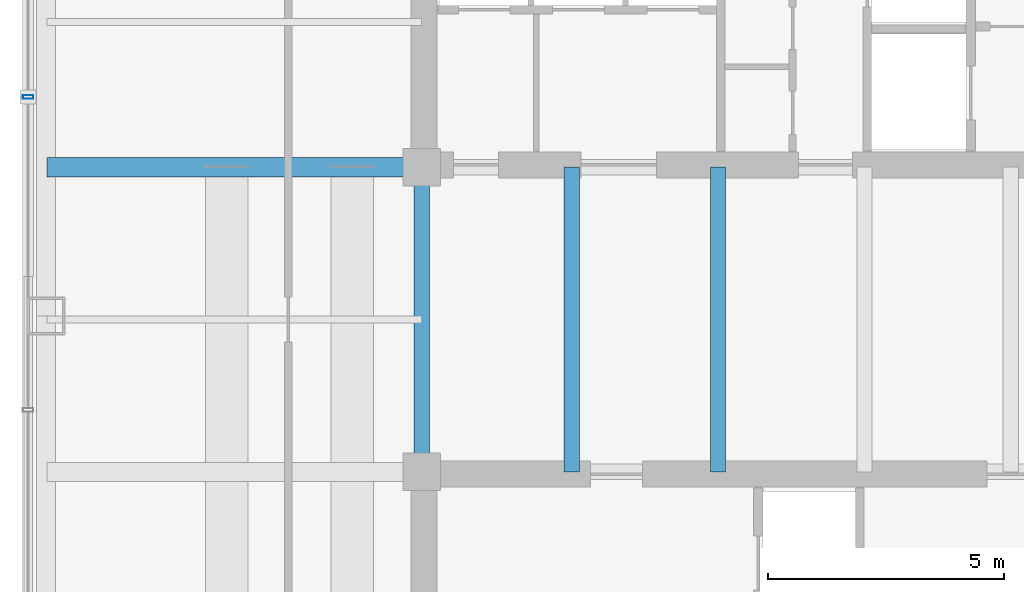
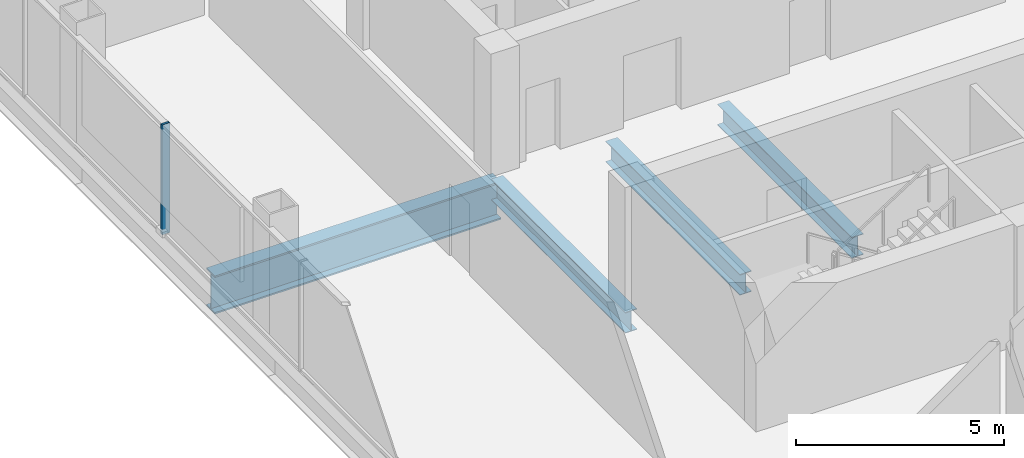
# One storey, part 4 of 20: 4 beams, 1 member, 1 element without a shape of its own.
"""IFC4 building model written with IfcOpenShell, lengths in metres."""

import ifcopenshell
import ifcopenshell.guid

model = None  # the IFC model being written
_history = None  # IfcOwnerHistory: only IFC2X3 demands one
_inside = {}  # id of a spatial element -> (the spatial element, [elements in it])
_under = {}  # id of a project, library or spatial element -> (it, [spatial elements below it])
_declared = {}  # id of a project -> (the project, [libraries it declares])
_typed = {}  # id of a type object -> (the type object, [elements of that type])
_made_of = {}  # id of a material, layer set ... -> (it, [elements and type objects made of it])


def new_model(schema):
    """Start an empty IFC model of exactly this schema.

    Asked for "IFC4X3", IfcOpenShell would pick the latest addendum, in which some entities
    have other attributes; the version numbers below select the first issue.
    IFC2X3 requires an IfcOwnerHistory on every rooted entity: one is made here for all.
    """
    global model, _history
    if schema == "IFC4X3":
        model = ifcopenshell.file(schema_version=(4, 3, 0, 0))
    else:
        model = ifcopenshell.file(schema=schema)
    _inside.clear()
    _under.clear()
    _declared.clear()
    _typed.clear()
    _made_of.clear()
    _history = None
    if model.schema == "IFC2X3":
        org = make("IfcOrganization", Name="unknown")
        user = make(
            "IfcPersonAndOrganization",
            ThePerson=make("IfcPerson", FamilyName="unknown"),
            TheOrganization=org,
        )
        app = make(
            "IfcApplication",
            ApplicationDeveloper=org,
            Version="unknown",
            ApplicationFullName="unknown",
            ApplicationIdentifier="unknown",
        )
        _history = make(
            "IfcOwnerHistory",
            OwningUser=user,
            OwningApplication=app,
            ChangeAction="ADDED",
            CreationDate=0,
        )
    return model


def make(cls, **values):
    """One entity of the class cls with the attributes given. An attribute that is None is left unset."""
    return model.create_entity(
        cls, **{name: value for name, value in values.items() if value is not None}
    )


def rooted(cls, **values):
    """An entity with a GlobalId (a new one), such as an element, a storey or a relation."""
    return make(cls, GlobalId=ifcopenshell.guid.new(), OwnerHistory=_history, **values)


def si_unit(unit_type, name, prefix=None):
    """IfcSIUnit, for example si_unit("LENGTHUNIT", "METRE", prefix="MILLI")."""
    return make("IfcSIUnit", UnitType=unit_type, Prefix=prefix, Name=name)


def assignment(units):
    """IfcUnitAssignment: the units of a project."""
    return None if units is None else make("IfcUnitAssignment", Units=units)


def point(xyz):
    """IfcCartesianPoint."""
    return None if xyz is None else make("IfcCartesianPoint", Coordinates=xyz)


def direction(xyz):
    """IfcDirection."""
    return None if xyz is None else make("IfcDirection", DirectionRatios=xyz)


def frame(location, z_axis=None, x_axis=None):
    """IfcAxis2Placement3D, a coordinate frame: its origin and axes. An axis left out is left unset."""
    return make(
        "IfcAxis2Placement3D",
        Location=point(location),
        Axis=direction(z_axis),
        RefDirection=direction(x_axis),
    )


def frame_2d(location, x_axis=None):
    """IfcAxis2Placement2D, a coordinate frame in the plane: its origin and x axis."""
    return make(
        "IfcAxis2Placement2D", Location=point(location), RefDirection=direction(x_axis)
    )


def origin():
    """The frame at (0, 0, 0) with its axes left unset."""
    return frame((0.0, 0.0, 0.0))


def origin_2d():
    """The frame at (0, 0) in the plane with its x axis left unset."""
    return frame_2d((0.0, 0.0))


def place(relative_to, where):
    """IfcLocalPlacement: puts the frame where relative to a parent placement (None: the world)."""
    return make(
        "IfcLocalPlacement", PlacementRelTo=relative_to, RelativePlacement=where
    )


def context(
    kind, dimensions, precision=None, world=None, true_north=None, identifier=None
):
    """IfcGeometricRepresentationContext, for example the 3D "Model" context."""
    return make(
        "IfcGeometricRepresentationContext",
        ContextIdentifier=identifier,
        ContextType=kind,
        CoordinateSpaceDimension=dimensions,
        Precision=precision,
        WorldCoordinateSystem=world,
        TrueNorth=true_north,
    )


def subcontext(parent, identifier, kind, view, scale=None):
    """IfcGeometricRepresentationSubContext, for example "Body" below "Model"."""
    return make(
        "IfcGeometricRepresentationSubContext",
        ContextIdentifier=identifier,
        ContextType=kind,
        ParentContext=parent,
        TargetScale=scale,
        TargetView=view,
    )


def project(units=None, contexts=None):
    """IfcProject with its units and contexts."""
    return rooted(
        "IfcProject",
        Name="project",
        RepresentationContexts=contexts,
        UnitsInContext=assignment(units),
    )


def spatial(cls, under=None, at=None, **own):
    """A site, building, storey or space (cls), placed at a placement, below another one or the project."""
    s = rooted(cls, ObjectPlacement=at, **own)
    if under is not None:
        _under.setdefault(under.id(), (under, []))[1].append(s)
    return s


def profile(cls, at=None, kind="AREA", **sizes):
    """A parametric profile (cls). Its sizes go by their IFC names, for example OverallWidth=200.0."""
    return make(cls, ProfileType=kind, Position=at, **sizes)


def hollow_rectangle(**sizes):
    """IfcRectangleHollowProfileDef."""
    return profile("IfcRectangleHollowProfileDef", **sizes)


def i_section(**sizes):
    """IfcIShapeProfileDef."""
    return profile("IfcIShapeProfileDef", **sizes)


def extrude(swept, where, along, depth):
    """IfcExtrudedAreaSolid: the profile swept, set in the frame where, extruded along a direction by depth."""
    return make(
        "IfcExtrudedAreaSolid",
        SweptArea=swept,
        Position=where,
        ExtrudedDirection=direction(along),
        Depth=depth,
    )


def shape(context_of_items, identifier, shape_type, items):
    """IfcShapeRepresentation: the items that make up one representation, for example the "Body"."""
    return make(
        "IfcShapeRepresentation",
        ContextOfItems=context_of_items,
        RepresentationIdentifier=identifier,
        RepresentationType=shape_type,
        Items=items,
    )


def material(Name=None, Category=None):
    """IfcMaterial."""
    return make("IfcMaterial", Name=Name, Category=Category)


def layer(
    of_material, thickness, ventilated=None, Name=None, Category=None, Priority=None
):
    """IfcMaterialLayer: one layer of a wall or slab, of a material (None: an air gap)."""
    return make(
        "IfcMaterialLayer",
        Material=of_material,
        LayerThickness=thickness,
        IsVentilated=ventilated,
        Name=Name,
        Category=Category,
        Priority=Priority,
    )


def layer_set(layers, Name=None):
    """IfcMaterialLayerSet."""
    return make("IfcMaterialLayerSet", MaterialLayers=layers, LayerSetName=Name)


def material_profile(
    of_material, cross_section, Name=None, Category=None, Priority=None
):
    """IfcMaterialProfile: a cross section and its material."""
    return make(
        "IfcMaterialProfile",
        Name=Name,
        Material=of_material,
        Profile=cross_section,
        Priority=Priority,
        Category=Category,
    )


def profile_set(profiles, Name=None, composite=None):
    """IfcMaterialProfileSet."""
    return make(
        "IfcMaterialProfileSet",
        Name=Name,
        MaterialProfiles=profiles,
        CompositeProfile=composite,
    )


def made_of(thing, what):
    """Note that an element or type object is made of a material, layer set ...; save() writes the relation."""
    if what is not None:
        _made_of.setdefault(what.id(), (what, []))[1].append(thing)
    return thing


def type_object(cls, material=None, **own):
    """A type object (cls), such as IfcWallType, which elements share."""
    return made_of(rooted(cls, **own), material)


def element(
    cls,
    number,
    at=None,
    inside=None,
    cuts=None,
    type_object=None,
    material=None,
    context=None,
    identifier="Body",
    shape_type=None,
    held_by="IfcProductDefinitionShape",
    body=None,
    shapes=None,
    **own,
):
    """One element of the class cls, such as IfcWall. Its Tag is "e" and its number.

    at: its placement. inside: the storey or other place that contains it. cuts: it is an
    opening in that element (IfcRelVoidsElement). A single representation is given by context,
    identifier, shape_type and body (its items); several are given by shapes. held_by: the class
    of the entity that holds the representations. save() writes the other relations.
    """
    e = rooted(cls, Tag="e%d" % number, ObjectPlacement=at, **own)
    if body is not None:
        shapes = [shape(context, identifier, shape_type, body)]
    if shapes is not None:
        e.Representation = make(held_by, Representations=shapes)
    if inside is not None:
        _inside.setdefault(inside.id(), (inside, []))[1].append(e)
    if cuts is not None:
        rooted(
            "IfcRelVoidsElement", RelatingBuildingElement=cuts, RelatedOpeningElement=e
        )
    if type_object is not None:
        _typed.setdefault(type_object.id(), (type_object, []))[1].append(e)
    return made_of(e, material)


def aggregate(whole, parts):
    """IfcRelAggregates: a whole, such as a stair, and the parts it consists of."""
    return rooted("IfcRelAggregates", RelatingObject=whole, RelatedObjects=parts)


def save(model, path):
    """Write the relations noted so far, then the file.

    IfcRelAggregates (storeys below a building ...), IfcRelContainedInSpatialStructure (elements
    in a storey), IfcRelDefinesByType, IfcRelAssociatesMaterial and IfcRelDeclares: one each for
    every whole, place, type object, material and project.
    """
    for whole, parts in _under.values():
        aggregate(whole, parts)
    for where, things in _inside.values():
        rooted(
            "IfcRelContainedInSpatialStructure",
            RelatedElements=things,
            RelatingStructure=where,
        )
    for kind, things in _typed.values():
        rooted("IfcRelDefinesByType", RelatedObjects=things, RelatingType=kind)
    for what, things in _made_of.values():
        rooted("IfcRelAssociatesMaterial", RelatedObjects=things, RelatingMaterial=what)
    for by, libraries in _declared.values():
        rooted("IfcRelDeclares", RelatingContext=by, RelatedDefinitions=libraries)
    model.write(path)


model = new_model("IFC4")

# Units and contexts
model_context = context("Model", 3, precision=1e-05, world=origin(), true_north=direction((0.0, 1.0)))
body_context = subcontext(model_context, "Body", "Model", "MODEL_VIEW")
ifc_project = project(units=[si_unit("LENGTHUNIT", "METRE"), si_unit("AREAUNIT", "SQUARE_METRE"), si_unit("VOLUMEUNIT", "CUBIC_METRE"), si_unit("PLANEANGLEUNIT", "RADIAN"), si_unit("MASSUNIT", "GRAM", prefix="KILO")], contexts=[model_context])

# Site, building, storey
site_placement = place(None, origin())
site = spatial("IfcSite", under=ifc_project, at=site_placement, CompositionType="ELEMENT")
building_placement = place(site_placement, origin())
building = spatial("IfcBuilding", under=site, at=building_placement, Name="Qhalaya Broadcast Tower", CompositionType="ELEMENT")
storey_placement = place(building_placement, frame((0.0, 0.0, 104.85009765625)))
storey = spatial("IfcBuildingStorey", under=building, at=storey_placement, Name="L30", CompositionType="ELEMENT", Elevation=104.85009765625)

# Beams
ifc_material_1 = material(Name="Structural Steel ASTM A992 Grade 50", Category="steel")
ifc_material_profile_1 = material_profile(ifc_material_1, i_section(OverallWidth=0.323974609375, OverallDepth=0.612060546875, WebThickness=0.0126953125, FlangeThickness=0.01904296875, at=origin_2d()), Name="W24X104")
ifc_profile_set_1 = profile_set([ifc_material_profile_1], Name="Structural Steel ASTM A992 Grade 50")
beam_type_1 = type_object("IfcBeamType", Name="Core Frame Tie Beam B04", PredefinedType="BEAM", material=ifc_profile_set_1)
for number, where, z_axis, x_axis, name in (
    (1, (-9.375, -2.625, -0.68603515625), (0.0, 1.0, 0.0), (-1.0, 0.0, 0.0), "L30 B04 L30-CCW"),
    (2, (-6.199951171875, -2.625, -0.68603515625), (0.0, 1.0, 0.0), (-1.0, 0.0, 0.0), "L30 B04 L30-JC1-1"),
    (3, (-3.10009765625, -2.625, -0.68603515625), (0.0, 1.0, 0.0), (-1.0, 0.0, 0.0), "L30 B04 L30-JC2-1"),
):
    element("IfcBeam", number, at=place(storey_placement, frame(where, z_axis=z_axis, x_axis=x_axis)), inside=storey, type_object=beam_type_1, Name=name, PredefinedType="BEAM", context=body_context, shape_type="SweptSolid", body=[
        extrude(i_section(OverallWidth=0.323974609375, OverallDepth=0.612060546875, WebThickness=0.0126953125, FlangeThickness=0.01904296875, at=origin_2d()), origin(), (0.0, 0.0, 1.0), 6.449951171875),
    ])
ifc_material_profile_2 = material_profile(ifc_material_1, i_section(OverallWidth=0.404052734375, OverallDepth=1.117919921875, WebThickness=0.026123046875, FlangeThickness=0.044921875, at=origin_2d()), Name="W44X335")
ifc_profile_set_2 = profile_set([ifc_material_profile_2], Name="Structural Steel ASTM A992 Grade 50")
beam_type_2 = type_object("IfcBeamType", Name="Podium Long-Span Primary Girder PG1", PredefinedType="USERDEFINED", material=ifc_profile_set_2)
beam_placement = place(storey_placement, frame((-17.31005859375, 3.824951171875, -0.939208984375), z_axis=(1.0, 0.0, 0.0), x_axis=(0.0, 1.0, 0.0)))
element("IfcBeam", 4, at=beam_placement, inside=storey, type_object=beam_type_2, Name="L30 PG1 L30-PGYW3-1", ObjectType="GIRDER", PredefinedType="USERDEFINED", context=body_context, shape_type="SweptSolid", body=[
    extrude(i_section(OverallWidth=0.404052734375, OverallDepth=1.117919921875, WebThickness=0.026123046875, FlangeThickness=0.044921875, at=origin_2d()), origin(), (0.0, 0.0, 1.0), 7.93505859375),
])

# Curtain wall, member
ifc_material_2 = material(Name="Solar-Control Low-E Triple Glazing", Category="glass")
ifc_layer = layer(ifc_material_2, 0.219970703125, Name="Solar-Control Low-E Triple Glazing")
ifc_layer_set = layer_set([ifc_layer], Name="Solar-Control Low-E Triple Glazing")
curtain_wall_type = type_object("IfcCurtainWallType", Name="Recessed Sky-Garden Neck Ribbon Curtain Wall CW-05", PredefinedType="NOTDEFINED", material=ifc_layer_set)
curtain_wall_placement = place(storey_placement, origin())
curtain_wall = element("IfcCurtainWall", 5, at=curtain_wall_placement, inside=storey, type_object=curtain_wall_type, Name="L30 Unitised Curtain Wall L30-CW-W", PredefinedType="NOTDEFINED")
ifc_material_3 = material(Name="Anodised Aluminium 6063-T6", Category="aluminium")
ifc_material_profile_3 = material_profile(ifc_material_3, hollow_rectangle(XDim=0.074951171875, YDim=0.219970703125, WallThickness=0.00390625, at=origin_2d()), Name="ALU-MUL 75x220x4")
ifc_profile_set_3 = profile_set([ifc_material_profile_3], Name="Anodised Aluminium 6063-T6")
member_type = type_object("IfcMemberType", Name="Unitised Curtain-Wall Mullion M01", PredefinedType="MULLION", material=ifc_profile_set_3)
member_placement = place(storey_placement, frame((-17.7099609375, 5.31005859375, 0.0), z_axis=(0.0, 0.0, 1.0), x_axis=(0.0, -1.0, 0.0)))
member = element("IfcMember", 6, at=member_placement, type_object=member_type, Name="CW-05 mullion 3", PredefinedType="MULLION", context=body_context, shape_type="SweptSolid", body=[
    extrude(hollow_rectangle(XDim=0.074951171875, YDim=0.219970703125, WallThickness=0.00390625, at=origin_2d()), origin(), (0.0, 0.0, 1.0), 3.219970703125),
])
aggregate(curtain_wall, [member])

save(model, "model.ifc")
